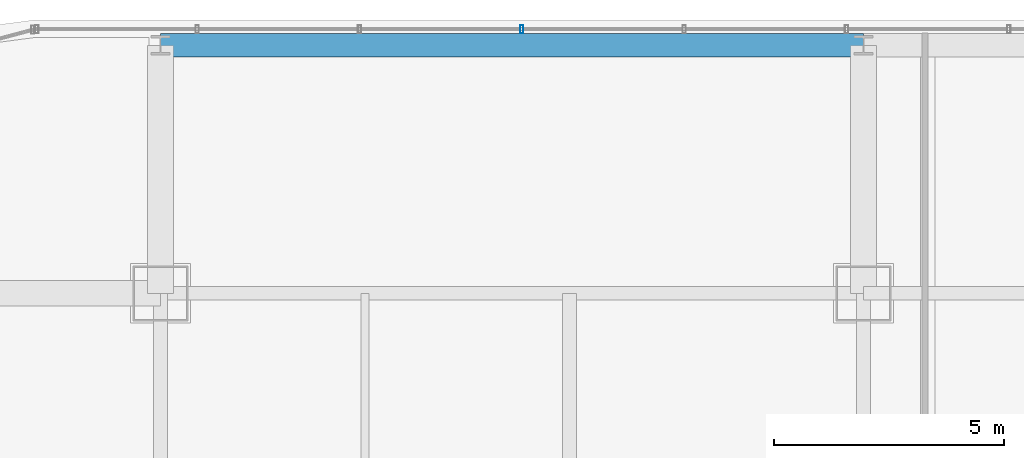
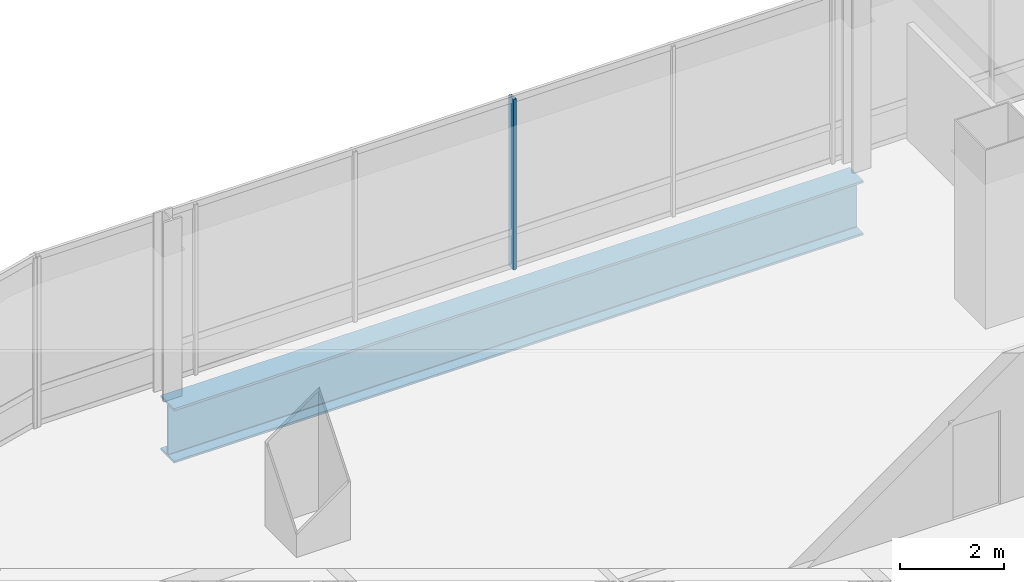
# One storey, part 24 of 41: 1 beam, 1 member, 1 element without a shape of its own.
"""IFC4 building model written with IfcOpenShell, lengths in metres."""

from ifc_helpers import new_model, si_unit, direction, frame, origin, origin_2d, place, context, subcontext, project, spatial, hollow_rectangle, i_section, extrude, material, material_profile, profile_set, type_object, element, aggregate, save


model = new_model("IFC4")

# Units and contexts
model_context = context("Model", 3, precision=1e-05, world=origin(), true_north=direction((0.0, 1.0)))
body_context = subcontext(model_context, "Body", "Model", "MODEL_VIEW")
ifc_project = project(units=[si_unit("LENGTHUNIT", "METRE"), si_unit("AREAUNIT", "SQUARE_METRE"), si_unit("VOLUMEUNIT", "CUBIC_METRE"), si_unit("PLANEANGLEUNIT", "RADIAN"), si_unit("MASSUNIT", "GRAM", prefix="KILO")], contexts=[model_context])

# Site, building, storey
site_placement = place(None, origin())
site = spatial("IfcSite", under=ifc_project, at=site_placement, CompositionType="ELEMENT")
building_placement = place(site_placement, origin())
building = spatial("IfcBuilding", under=site, at=building_placement, Name="Punatoya Terracotta Tower", CompositionType="ELEMENT")
storey_placement = place(building_placement, frame((0.0, 0.0, 309.0)))
storey = spatial("IfcBuildingStorey", under=building, at=storey_placement, Name="L73", CompositionType="ELEMENT", Elevation=309.0)

# Beam
ifc_material_1 = material(Name="Steel S460", Category="steel")
ifc_material_profile_1 = material_profile(ifc_material_1, i_section(OverallWidth=0.52001953125, OverallDepth=1.280029296875, WebThickness=0.031982421875, FlangeThickness=0.050048828125, FilletRadius=0.01806640625, at=origin_2d()))
ifc_profile_set_1 = profile_set([ifc_material_profile_1], Name="Steel S460")
beam_type = type_object("IfcBeamType", Name="BM-TG-NCK", PredefinedType="BEAM", material=ifc_profile_set_1)
beam_placement = place(storey_placement, frame((-19.10009765625, 22.89990234375, -0.840087890625), z_axis=(1.0, 0.0, 0.0), x_axis=(0.0, 1.0, 0.0)))
element("IfcBeam", 1, at=beam_placement, inside=storey, type_object=beam_type, Name="BM-L73-PER-N1", PredefinedType="BEAM", context=body_context, shape_type="SweptSolid", body=[
    extrude(i_section(OverallWidth=0.52001953125, OverallDepth=1.280029296875, WebThickness=0.031982421875, FlangeThickness=0.050048828125, FilletRadius=0.01806640625, at=origin_2d()), origin(), (0.0, 0.0, 1.0), 15.300048828125),
])

# Curtain wall, member
ifc_material_2 = material(Name="Aluminium 6063-T6 + Double Low-E Glass", Category="aluminium")
curtain_wall_type = type_object("IfcCurtainWallType", Name="CW-M3", PredefinedType="NOTDEFINED", material=ifc_material_2)
curtain_wall_placement = place(storey_placement, origin())
curtain_wall = element("IfcCurtainWall", 2, at=curtain_wall_placement, inside=storey, type_object=curtain_wall_type, Name="L73 Curtain Wall CW-L73-N09-1", PredefinedType="NOTDEFINED")
ifc_material_3 = material(Name="Aluminium 6063-T6", Category="aluminium")
ifc_material_profile_2 = material_profile(ifc_material_3, hollow_rectangle(XDim=0.070068359375, YDim=0.179931640625, WallThickness=0.00390625, at=origin_2d()))
ifc_profile_set_2 = profile_set([ifc_material_profile_2], Name="Aluminium 6063-T6")
member_type = type_object("IfcMemberType", Name="CW-MUL-M3", PredefinedType="MULLION", material=ifc_profile_set_2)
member_placement = place(storey_placement, frame((-11.235107421875, 23.25, 0.0), z_axis=(0.0, 0.0, 1.0), x_axis=(1.0, 0.0, 0.0)))
member = element("IfcMember", 3, at=member_placement, type_object=member_type, Name="CW-L73-N09-1 Mullion 08", PredefinedType="MULLION", context=body_context, shape_type="SweptSolid", body=[
    extrude(hollow_rectangle(XDim=0.070068359375, YDim=0.179931640625, WallThickness=0.00390625, at=origin_2d()), origin(), (0.0, 0.0, 1.0), 4.0),
])
aggregate(curtain_wall, [member])

save(model, "model.ifc")
